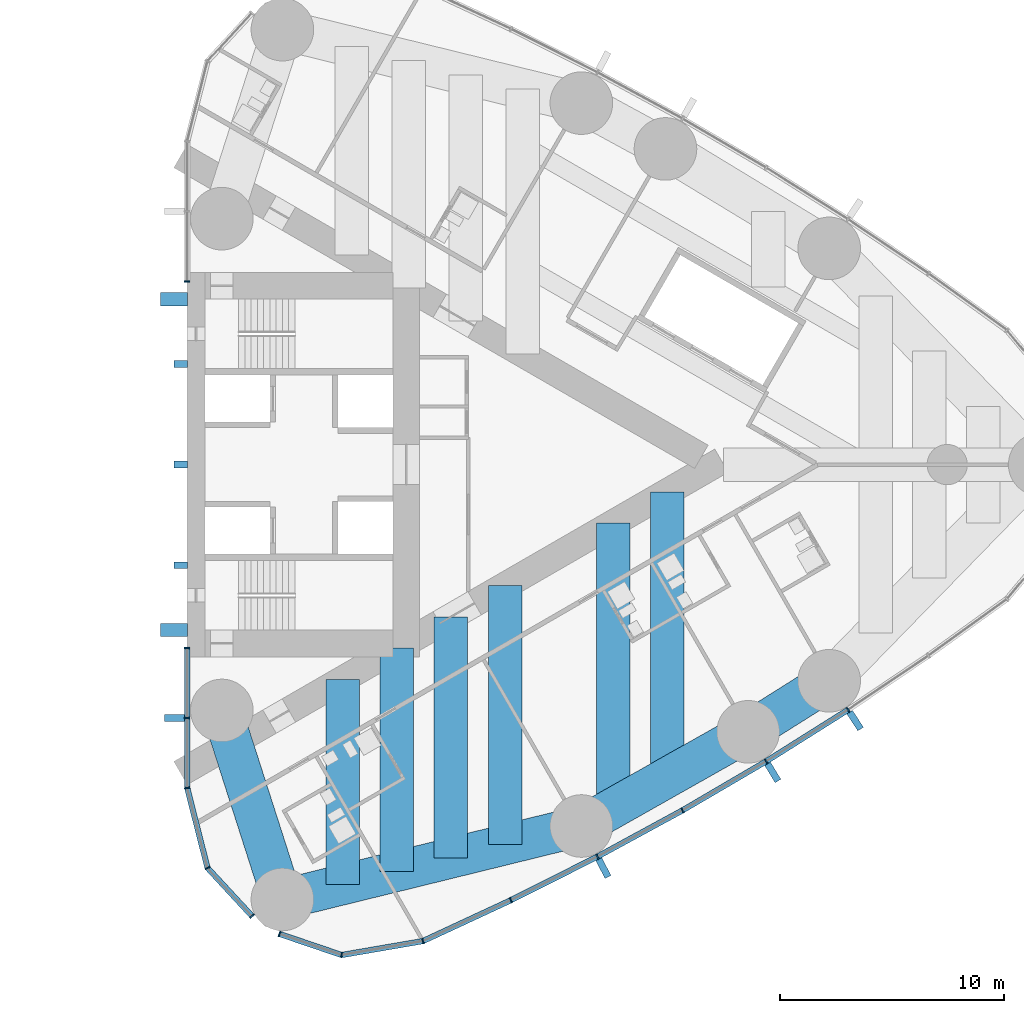
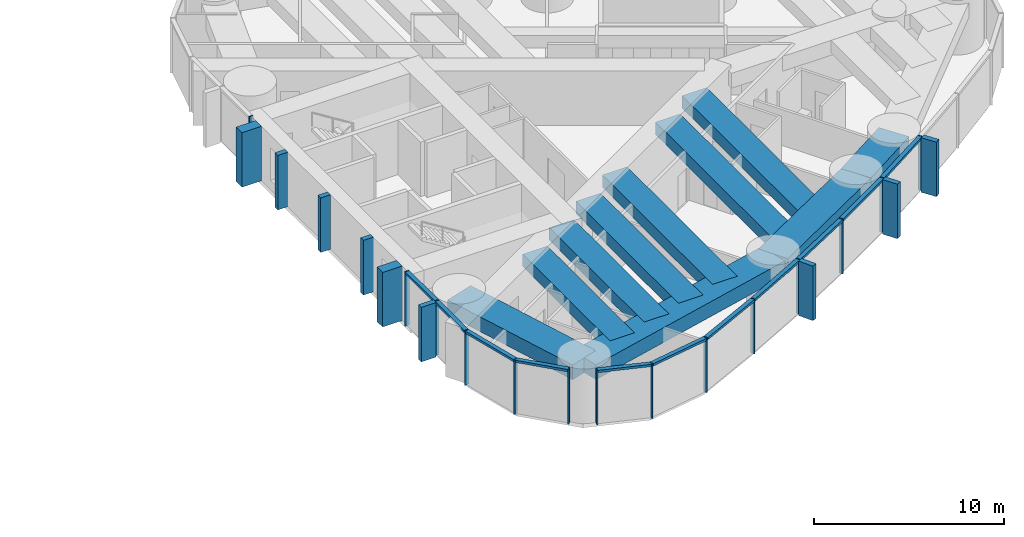
# One storey, part 6 of 19: 34 members, 10 beams, 3 elements without a shape of their own.
"""IFC4 building model written with IfcOpenShell, lengths in metres."""

import ifcopenshell
import ifcopenshell.guid

model = None  # the IFC model being written
_history = None  # IfcOwnerHistory: only IFC2X3 demands one
_inside = {}  # id of a spatial element -> (the spatial element, [elements in it])
_under = {}  # id of a project, library or spatial element -> (it, [spatial elements below it])
_declared = {}  # id of a project -> (the project, [libraries it declares])
_typed = {}  # id of a type object -> (the type object, [elements of that type])
_made_of = {}  # id of a material, layer set ... -> (it, [elements and type objects made of it])


def new_model(schema):
    """Start an empty IFC model of exactly this schema.

    Asked for "IFC4X3", IfcOpenShell would pick the latest addendum, in which some entities
    have other attributes; the version numbers below select the first issue.
    IFC2X3 requires an IfcOwnerHistory on every rooted entity: one is made here for all.
    """
    global model, _history
    if schema == "IFC4X3":
        model = ifcopenshell.file(schema_version=(4, 3, 0, 0))
    else:
        model = ifcopenshell.file(schema=schema)
    _inside.clear()
    _under.clear()
    _declared.clear()
    _typed.clear()
    _made_of.clear()
    _history = None
    if model.schema == "IFC2X3":
        org = make("IfcOrganization", Name="unknown")
        user = make(
            "IfcPersonAndOrganization",
            ThePerson=make("IfcPerson", FamilyName="unknown"),
            TheOrganization=org,
        )
        app = make(
            "IfcApplication",
            ApplicationDeveloper=org,
            Version="unknown",
            ApplicationFullName="unknown",
            ApplicationIdentifier="unknown",
        )
        _history = make(
            "IfcOwnerHistory",
            OwningUser=user,
            OwningApplication=app,
            ChangeAction="ADDED",
            CreationDate=0,
        )
    return model


def make(cls, **values):
    """One entity of the class cls with the attributes given. An attribute that is None is left unset."""
    return model.create_entity(
        cls, **{name: value for name, value in values.items() if value is not None}
    )


def rooted(cls, **values):
    """An entity with a GlobalId (a new one), such as an element, a storey or a relation."""
    return make(cls, GlobalId=ifcopenshell.guid.new(), OwnerHistory=_history, **values)


def si_unit(unit_type, name, prefix=None):
    """IfcSIUnit, for example si_unit("LENGTHUNIT", "METRE", prefix="MILLI")."""
    return make("IfcSIUnit", UnitType=unit_type, Prefix=prefix, Name=name)


def assignment(units):
    """IfcUnitAssignment: the units of a project."""
    return None if units is None else make("IfcUnitAssignment", Units=units)


def point(xyz):
    """IfcCartesianPoint."""
    return None if xyz is None else make("IfcCartesianPoint", Coordinates=xyz)


def direction(xyz):
    """IfcDirection."""
    return None if xyz is None else make("IfcDirection", DirectionRatios=xyz)


def frame(location, z_axis=None, x_axis=None):
    """IfcAxis2Placement3D, a coordinate frame: its origin and axes. An axis left out is left unset."""
    return make(
        "IfcAxis2Placement3D",
        Location=point(location),
        Axis=direction(z_axis),
        RefDirection=direction(x_axis),
    )


def frame_2d(location, x_axis=None):
    """IfcAxis2Placement2D, a coordinate frame in the plane: its origin and x axis."""
    return make(
        "IfcAxis2Placement2D", Location=point(location), RefDirection=direction(x_axis)
    )


def origin():
    """The frame at (0, 0, 0) with its axes left unset."""
    return frame((0.0, 0.0, 0.0))


def origin_2d():
    """The frame at (0, 0) in the plane with its x axis left unset."""
    return frame_2d((0.0, 0.0))


def place(relative_to, where):
    """IfcLocalPlacement: puts the frame where relative to a parent placement (None: the world)."""
    return make(
        "IfcLocalPlacement", PlacementRelTo=relative_to, RelativePlacement=where
    )


def context(
    kind, dimensions, precision=None, world=None, true_north=None, identifier=None
):
    """IfcGeometricRepresentationContext, for example the 3D "Model" context."""
    return make(
        "IfcGeometricRepresentationContext",
        ContextIdentifier=identifier,
        ContextType=kind,
        CoordinateSpaceDimension=dimensions,
        Precision=precision,
        WorldCoordinateSystem=world,
        TrueNorth=true_north,
    )


def subcontext(parent, identifier, kind, view, scale=None):
    """IfcGeometricRepresentationSubContext, for example "Body" below "Model"."""
    return make(
        "IfcGeometricRepresentationSubContext",
        ContextIdentifier=identifier,
        ContextType=kind,
        ParentContext=parent,
        TargetScale=scale,
        TargetView=view,
    )


def project(units=None, contexts=None):
    """IfcProject with its units and contexts."""
    return rooted(
        "IfcProject",
        Name="project",
        RepresentationContexts=contexts,
        UnitsInContext=assignment(units),
    )


def spatial(cls, under=None, at=None, **own):
    """A site, building, storey or space (cls), placed at a placement, below another one or the project."""
    s = rooted(cls, ObjectPlacement=at, **own)
    if under is not None:
        _under.setdefault(under.id(), (under, []))[1].append(s)
    return s


def profile(cls, at=None, kind="AREA", **sizes):
    """A parametric profile (cls). Its sizes go by their IFC names, for example OverallWidth=200.0."""
    return make(cls, ProfileType=kind, Position=at, **sizes)


def rectangle(**sizes):
    """IfcRectangleProfileDef."""
    return profile("IfcRectangleProfileDef", **sizes)


def extrude(swept, where, along, depth):
    """IfcExtrudedAreaSolid: the profile swept, set in the frame where, extruded along a direction by depth."""
    return make(
        "IfcExtrudedAreaSolid",
        SweptArea=swept,
        Position=where,
        ExtrudedDirection=direction(along),
        Depth=depth,
    )


def shape(context_of_items, identifier, shape_type, items):
    """IfcShapeRepresentation: the items that make up one representation, for example the "Body"."""
    return make(
        "IfcShapeRepresentation",
        ContextOfItems=context_of_items,
        RepresentationIdentifier=identifier,
        RepresentationType=shape_type,
        Items=items,
    )


def material(Name=None, Category=None):
    """IfcMaterial."""
    return make("IfcMaterial", Name=Name, Category=Category)


def material_profile(
    of_material, cross_section, Name=None, Category=None, Priority=None
):
    """IfcMaterialProfile: a cross section and its material."""
    return make(
        "IfcMaterialProfile",
        Name=Name,
        Material=of_material,
        Profile=cross_section,
        Priority=Priority,
        Category=Category,
    )


def profile_set(profiles, Name=None, composite=None):
    """IfcMaterialProfileSet."""
    return make(
        "IfcMaterialProfileSet",
        Name=Name,
        MaterialProfiles=profiles,
        CompositeProfile=composite,
    )


def made_of(thing, what):
    """Note that an element or type object is made of a material, layer set ...; save() writes the relation."""
    if what is not None:
        _made_of.setdefault(what.id(), (what, []))[1].append(thing)
    return thing


def type_object(cls, material=None, **own):
    """A type object (cls), such as IfcWallType, which elements share."""
    return made_of(rooted(cls, **own), material)


def element(
    cls,
    number,
    at=None,
    inside=None,
    cuts=None,
    type_object=None,
    material=None,
    context=None,
    identifier="Body",
    shape_type=None,
    held_by="IfcProductDefinitionShape",
    body=None,
    shapes=None,
    **own,
):
    """One element of the class cls, such as IfcWall. Its Tag is "e" and its number.

    at: its placement. inside: the storey or other place that contains it. cuts: it is an
    opening in that element (IfcRelVoidsElement). A single representation is given by context,
    identifier, shape_type and body (its items); several are given by shapes. held_by: the class
    of the entity that holds the representations. save() writes the other relations.
    """
    e = rooted(cls, Tag="e%d" % number, ObjectPlacement=at, **own)
    if body is not None:
        shapes = [shape(context, identifier, shape_type, body)]
    if shapes is not None:
        e.Representation = make(held_by, Representations=shapes)
    if inside is not None:
        _inside.setdefault(inside.id(), (inside, []))[1].append(e)
    if cuts is not None:
        rooted(
            "IfcRelVoidsElement", RelatingBuildingElement=cuts, RelatedOpeningElement=e
        )
    if type_object is not None:
        _typed.setdefault(type_object.id(), (type_object, []))[1].append(e)
    return made_of(e, material)


def aggregate(whole, parts):
    """IfcRelAggregates: a whole, such as a stair, and the parts it consists of."""
    return rooted("IfcRelAggregates", RelatingObject=whole, RelatedObjects=parts)


def save(model, path):
    """Write the relations noted so far, then the file.

    IfcRelAggregates (storeys below a building ...), IfcRelContainedInSpatialStructure (elements
    in a storey), IfcRelDefinesByType, IfcRelAssociatesMaterial and IfcRelDeclares: one each for
    every whole, place, type object, material and project.
    """
    for whole, parts in _under.values():
        aggregate(whole, parts)
    for where, things in _inside.values():
        rooted(
            "IfcRelContainedInSpatialStructure",
            RelatedElements=things,
            RelatingStructure=where,
        )
    for kind, things in _typed.values():
        rooted("IfcRelDefinesByType", RelatedObjects=things, RelatingType=kind)
    for what, things in _made_of.values():
        rooted("IfcRelAssociatesMaterial", RelatedObjects=things, RelatingMaterial=what)
    for by, libraries in _declared.values():
        rooted("IfcRelDeclares", RelatingContext=by, RelatedDefinitions=libraries)
    model.write(path)


model = new_model("IFC4")

# Units and contexts
model_context = context("Model", 3, precision=1e-05, world=origin(), true_north=direction((0.0, 1.0)))
body_context = subcontext(model_context, "Body", "Model", "MODEL_VIEW")
ifc_project = project(units=[si_unit("LENGTHUNIT", "METRE"), si_unit("AREAUNIT", "SQUARE_METRE"), si_unit("VOLUMEUNIT", "CUBIC_METRE"), si_unit("PLANEANGLEUNIT", "RADIAN"), si_unit("MASSUNIT", "GRAM", prefix="KILO")], contexts=[model_context])

# Site, building, storey
site_placement = place(None, origin())
site = spatial("IfcSite", under=ifc_project, at=site_placement, CompositionType="ELEMENT")
building_placement = place(site_placement, origin())
building = spatial("IfcBuilding", under=site, at=building_placement, Name="Lancet Gate Hotel", CompositionType="ELEMENT")
storey_placement = place(building_placement, frame((0.0, 0.0, 177.300048828125)))
storey = spatial("IfcBuildingStorey", under=building, at=storey_placement, Name="L47", CompositionType="ELEMENT", Elevation=177.300048828125)

# Curtain wall, members
ifc_material_1 = material(Name="Aluminium curtain wall", Category="aluminium")
curtain_wall_type = type_object("IfcCurtainWallType", Name="Tower unitised curtain wall", PredefinedType="USERDEFINED", material=ifc_material_1)
curtain_wall_1_placement = place(storey_placement, origin())
curtain_wall_1 = element("IfcCurtainWall", 1, at=curtain_wall_1_placement, inside=storey, type_object=curtain_wall_type, Name="T2 L47 curtain wall 1", ObjectType="UNITISED CURTAIN WALL", PredefinedType="USERDEFINED")
ifc_material_2 = material(Name="Aluminium mullion", Category="aluminium")
ifc_material_profile_1 = material_profile(ifc_material_2, rectangle(XDim=0.06494140625, YDim=0.25, at=origin_2d()), Name="MULLION 65x250")
ifc_profile_set_1 = profile_set([ifc_material_profile_1], Name="Aluminium mullion")
member_type_1 = type_object("IfcMemberType", Name="Aluminium mullion 65x250", PredefinedType="MULLION", material=ifc_profile_set_1)
member_1_placement = place(storey_placement, frame((27.5, -8.199951171875, 0.0), z_axis=(0.0, 0.0, 1.0), x_axis=(0.0, -1.0, 0.0)))
member_1 = element("IfcMember", 2, at=member_1_placement, type_object=member_type_1, Name="T2 L47 curtain wall 1 mullion 1", PredefinedType="MULLION", context=body_context, shape_type="SweptSolid", body=[
    extrude(rectangle(XDim=0.06494140625, YDim=0.25, at=origin_2d()), origin(), (0.0, 0.0, 1.0), 3.5),
])
member_2_placement = place(storey_placement, frame((27.5, -11.332763671875, 0.0), z_axis=(0.0, 0.0, 1.0), x_axis=(0.0, -1.0, 0.0)))
member_2 = element("IfcMember", 3, at=member_2_placement, type_object=member_type_1, Name="T2 L47 curtain wall 1 mullion 2", PredefinedType="MULLION", context=body_context, shape_type="SweptSolid", body=[
    extrude(rectangle(XDim=0.06494140625, YDim=0.25, at=origin_2d()), origin(), (0.0, 0.0, 1.0), 3.5),
])
member_3_placement = place(storey_placement, frame((27.5, -14.465576171875, 0.0), z_axis=(0.0, 0.0, 1.0), x_axis=(0.134206524909, -0.990953383703, 0.0)))
member_3 = element("IfcMember", 4, at=member_3_placement, type_object=member_type_1, Name="T2 L47 curtain wall 1 mullion 3", PredefinedType="MULLION", context=body_context, shape_type="SweptSolid", body=[
    extrude(rectangle(XDim=0.06494140625, YDim=0.25, at=origin_2d()), origin(), (0.0, 0.0, 1.0), 3.5),
])
member_4_placement = place(storey_placement, frame((28.408935546875, -18.04443359375, 0.0), z_axis=(0.0, 0.0, 1.0), x_axis=(0.451505925065, -0.892268120932, 0.0)))
member_4 = element("IfcMember", 5, at=member_4_placement, type_object=member_type_1, Name="T2 L47 curtain wall 1 mullion 4", PredefinedType="MULLION", context=body_context, shape_type="SweptSolid", body=[
    extrude(rectangle(XDim=0.06494140625, YDim=0.25, at=origin_2d()), origin(), (0.0, 0.0, 1.0), 3.5),
])
member_5_placement = place(storey_placement, frame((30.40185546875, -20.199951171875, 0.0), z_axis=(0.0, 0.0, 1.0), x_axis=(0.67883123083, -0.734294327943, 0.0)))
member_5 = element("IfcMember", 6, at=member_5_placement, type_object=member_type_1, Name="T2 L47 curtain wall 1 mullion 5", PredefinedType="MULLION", context=body_context, shape_type="SweptSolid", body=[
    extrude(rectangle(XDim=0.06494140625, YDim=0.25, at=origin_2d()), origin(), (0.0, 0.0, 1.0), 3.5),
])

curtain_wall_2_placement = place(storey_placement, origin())
curtain_wall_2 = element("IfcCurtainWall", 7, at=curtain_wall_2_placement, inside=storey, type_object=curtain_wall_type, Name="T2 L47 curtain wall 2", ObjectType="UNITISED CURTAIN WALL", PredefinedType="USERDEFINED")
member_6_placement = place(storey_placement, frame((31.631591796875, -20.998779296875, 0.0), z_axis=(0.0, 0.0, 1.0), x_axis=(0.946952368511, -0.321373943827, 0.0)))
member_6 = element("IfcMember", 8, at=member_6_placement, type_object=member_type_1, Name="T2 L47 curtain wall 2 mullion 1", PredefinedType="MULLION", context=body_context, shape_type="SweptSolid", body=[
    extrude(rectangle(XDim=0.06494140625, YDim=0.25, at=origin_2d()), origin(), (0.0, 0.0, 1.0), 3.5),
])
member_7_placement = place(storey_placement, frame((34.412109375, -21.9423828125, 0.0), z_axis=(0.0, 0.0, 1.0), x_axis=(0.99877556888, -0.049470829879, 0.0)))
member_7 = element("IfcMember", 9, at=member_7_placement, type_object=member_type_1, Name="T2 L47 curtain wall 2 mullion 2", PredefinedType="MULLION", context=body_context, shape_type="SweptSolid", body=[
    extrude(rectangle(XDim=0.06494140625, YDim=0.25, at=origin_2d()), origin(), (0.0, 0.0, 1.0), 3.5),
])
member_8_placement = place(storey_placement, frame((38.05126953125, -21.31689453125, 0.0), z_axis=(0.0, 0.0, 1.0), x_axis=(0.951355493327, 0.308095318555, 0.0)))
member_8 = element("IfcMember", 10, at=member_8_placement, type_object=member_type_1, Name="T2 L47 curtain wall 2 mullion 3", PredefinedType="MULLION", context=body_context, shape_type="SweptSolid", body=[
    extrude(rectangle(XDim=0.06494140625, YDim=0.25, at=origin_2d()), origin(), (0.0, 0.0, 1.0), 3.5),
])
member_9_placement = place(storey_placement, frame((41.98193359375, -19.490966796875, 0.0), z_axis=(0.0, 0.0, 1.0), x_axis=(0.900141333422, 0.435597956681, 0.0)))
member_9 = element("IfcMember", 11, at=member_9_placement, type_object=member_type_1, Name="T2 L47 curtain wall 2 mullion 4", PredefinedType="MULLION", context=body_context, shape_type="SweptSolid", body=[
    extrude(rectangle(XDim=0.06494140625, YDim=0.25, at=origin_2d()), origin(), (0.0, 0.0, 1.0), 3.5),
])
member_10_placement = place(storey_placement, frame((45.8525390625, -17.54150390625, 0.0), z_axis=(0.0, 0.0, 1.0), x_axis=(0.885877049989, 0.463920092584, 0.0)))
member_10 = element("IfcMember", 12, at=member_10_placement, type_object=member_type_1, Name="T2 L47 curtain wall 2 mullion 5", PredefinedType="MULLION", context=body_context, shape_type="SweptSolid", body=[
    extrude(rectangle(XDim=0.06494140625, YDim=0.25, at=origin_2d()), origin(), (0.0, 0.0, 1.0), 3.5),
])
member_11_placement = place(storey_placement, frame((49.65966796875, -15.47021484375, 0.0), z_axis=(0.0, 0.0, 1.0), x_axis=(0.870721916932, 0.491775704336, 0.0)))
member_11 = element("IfcMember", 13, at=member_11_placement, type_object=member_type_1, Name="T2 L47 curtain wall 2 mullion 6", PredefinedType="MULLION", context=body_context, shape_type="SweptSolid", body=[
    extrude(rectangle(XDim=0.06494140625, YDim=0.25, at=origin_2d()), origin(), (0.0, 0.0, 1.0), 3.5),
])
member_12_placement = place(storey_placement, frame((53.39892578125, -13.279541015625, 0.0), z_axis=(0.0, 0.0, 1.0), x_axis=(0.854691174453, 0.519136779965, 0.0)))
member_12 = element("IfcMember", 14, at=member_12_placement, type_object=member_type_1, Name="T2 L47 curtain wall 2 mullion 7", PredefinedType="MULLION", context=body_context, shape_type="SweptSolid", body=[
    extrude(rectangle(XDim=0.06494140625, YDim=0.25, at=origin_2d()), origin(), (0.0, 0.0, 1.0), 3.5),
])
member_13_placement = place(storey_placement, frame((57.067138671875, -10.970947265625, 0.0), z_axis=(0.0, 0.0, 1.0), x_axis=(0.837800943278, 0.545975804815, 0.0)))
member_13 = element("IfcMember", 15, at=member_13_placement, type_object=member_type_1, Name="T2 L47 curtain wall 2 mullion 8", PredefinedType="MULLION", context=body_context, shape_type="SweptSolid", body=[
    extrude(rectangle(XDim=0.06494140625, YDim=0.25, at=origin_2d()), origin(), (0.0, 0.0, 1.0), 3.5),
])

# Curtain wall, member
curtain_wall_3_placement = place(storey_placement, origin())
curtain_wall_3 = element("IfcCurtainWall", 16, at=curtain_wall_3_placement, inside=storey, type_object=curtain_wall_type, Name="T2 L47 curtain wall 4", ObjectType="UNITISED CURTAIN WALL", PredefinedType="USERDEFINED")
member_14_placement = place(storey_placement, frame((27.5, 8.199951171875, 0.0), z_axis=(0.0, 0.0, 1.0), x_axis=(0.0, -1.0, 0.0)))
member_14 = element("IfcMember", 17, at=member_14_placement, type_object=member_type_1, Name="T2 L47 curtain wall 4 mullion 5", PredefinedType="MULLION", context=body_context, shape_type="SweptSolid", body=[
    extrude(rectangle(XDim=0.06494140625, YDim=0.25, at=origin_2d()), origin(), (0.0, 0.0, 1.0), 3.5),
])
aggregate(curtain_wall_3, [member_14])

# Member
ifc_material_3 = material(Name="Aluminium transom", Category="aluminium")
ifc_material_profile_2 = material_profile(ifc_material_3, rectangle(XDim=0.25, YDim=0.14990234375, at=origin_2d()), Name="TRANSOM 250x150")
ifc_profile_set_2 = profile_set([ifc_material_profile_2], Name="Aluminium transom")
member_type_2 = type_object("IfcMemberType", Name="Aluminium transom 250x150", PredefinedType="USERDEFINED", material=ifc_profile_set_2)
member_15_placement = place(storey_placement, frame((27.5, -8.232421875, 3.425048828125), z_axis=(0.0, -1.0, 0.0), x_axis=(1.0, 0.0, 0.0)))
member_15 = element("IfcMember", 18, at=member_15_placement, type_object=member_type_2, Name="T2 L47 curtain wall 1 transom 1", ObjectType="TRANSOM", PredefinedType="USERDEFINED", context=body_context, shape_type="SweptSolid", body=[
    extrude(rectangle(XDim=0.25, YDim=0.14990234375, at=origin_2d()), origin(), (0.0, 0.0, 1.0), 3.06787109375),
])

member_16_placement = place(storey_placement, frame((27.5, -11.365234375, 3.425048828125), z_axis=(0.0, -1.0, 0.0), x_axis=(1.0, 0.0, 0.0)))
member_16 = element("IfcMember", 19, at=member_16_placement, type_object=member_type_2, Name="T2 L47 curtain wall 1 transom 2", ObjectType="TRANSOM", PredefinedType="USERDEFINED", context=body_context, shape_type="SweptSolid", body=[
    extrude(rectangle(XDim=0.25, YDim=0.14990234375, at=origin_2d()), origin(), (0.0, 0.0, 1.0), 3.06787109375),
])

member_17_placement = place(storey_placement, frame((27.508056640625, -14.4970703125, 3.425048828125), z_axis=(0.246128756616, -0.969237140831, 0.0), x_axis=(0.969237140831, 0.246128756616, 0.0)))
member_17 = element("IfcMember", 20, at=member_17_placement, type_object=member_type_2, Name="T2 L47 curtain wall 1 transom 3", ObjectType="TRANSOM", PredefinedType="USERDEFINED", context=body_context, shape_type="SweptSolid", body=[
    extrude(rectangle(XDim=0.25, YDim=0.14990234375, at=origin_2d()), origin(), (0.0, 0.0, 1.0), 3.62744140625),
])

member_18_placement = place(storey_placement, frame((28.43115234375, -18.068359375, 3.425048828125), z_axis=(0.678792146129, -0.734330458549, 0.0), x_axis=(0.734330458549, 0.678792146129, 0.0)))
member_18 = element("IfcMember", 21, at=member_18_placement, type_object=member_type_2, Name="T2 L47 curtain wall 1 transom 4", ObjectType="TRANSOM", PredefinedType="USERDEFINED", context=body_context, shape_type="SweptSolid", body=[
    extrude(rectangle(XDim=0.25, YDim=0.14990234375, at=origin_2d()), origin(), (0.0, 0.0, 1.0), 2.87060546875),
])

member_19_placement = place(storey_placement, frame((31.662353515625, -21.00927734375, 3.425048828125), z_axis=(0.946943122832, -0.321401185625, 0.0), x_axis=(0.321401185625, 0.946943122832, 0.0)))
member_19 = element("IfcMember", 22, at=member_19_placement, type_object=member_type_2, Name="T2 L47 curtain wall 2 transom 1", ObjectType="TRANSOM", PredefinedType="USERDEFINED", context=body_context, shape_type="SweptSolid", body=[
    extrude(rectangle(XDim=0.25, YDim=0.14990234375, at=origin_2d()), origin(), (0.0, 0.0, 1.0), 2.871337890625),
])

member_20_placement = place(storey_placement, frame((34.444091796875, -21.93701171875, 3.425048828125), z_axis=(0.985536950873, 0.169460669373, 0.0), x_axis=(-0.169460669373, 0.985536950873, 0.0)))
member_20 = element("IfcMember", 23, at=member_20_placement, type_object=member_type_2, Name="T2 L47 curtain wall 2 transom 2", ObjectType="TRANSOM", PredefinedType="USERDEFINED", context=body_context, shape_type="SweptSolid", body=[
    extrude(rectangle(XDim=0.25, YDim=0.14990234375, at=origin_2d()), origin(), (0.0, 0.0, 1.0), 3.627685546875),
])

member_21_placement = place(storey_placement, frame((38.080810546875, -21.30322265625, 3.425048828125), z_axis=(0.906913768492, 0.421316290357, 0.0), x_axis=(-0.421316290357, 0.906913768492, 0.0)))
member_21 = element("IfcMember", 24, at=member_21_placement, type_object=member_type_2, Name="T2 L47 curtain wall 2 transom 3", ObjectType="TRANSOM", PredefinedType="USERDEFINED", context=body_context, shape_type="SweptSolid", body=[
    extrude(rectangle(XDim=0.25, YDim=0.14990234375, at=origin_2d()), origin(), (0.0, 0.0, 1.0), 4.26904296875),
])

member_22_placement = place(storey_placement, frame((42.010986328125, -19.476318359375, 3.425048828125), z_axis=(0.893130969207, 0.449796700571, 0.0), x_axis=(-0.449796700571, 0.893130969207, 0.0)))
member_22 = element("IfcMember", 25, at=member_22_placement, type_object=member_type_2, Name="T2 L47 curtain wall 2 transom 4", ObjectType="TRANSOM", PredefinedType="USERDEFINED", context=body_context, shape_type="SweptSolid", body=[
    extrude(rectangle(XDim=0.25, YDim=0.14990234375, at=origin_2d()), origin(), (0.0, 0.0, 1.0), 4.26904296875),
])

member_23_placement = place(storey_placement, frame((45.881103515625, -17.526123046875, 3.425048828125), z_axis=(0.878404302735, 0.477918278513, 0.0), x_axis=(-0.477918278513, 0.878404302735, 0.0)))
member_23 = element("IfcMember", 26, at=member_23_placement, type_object=member_type_2, Name="T2 L47 curtain wall 2 transom 5", ObjectType="TRANSOM", PredefinedType="USERDEFINED", context=body_context, shape_type="SweptSolid", body=[
    extrude(rectangle(XDim=0.25, YDim=0.14990234375, at=origin_2d()), origin(), (0.0, 0.0, 1.0), 4.26904296875),
])

member_24_placement = place(storey_placement, frame((49.687744140625, -15.453857421875, 3.425048828125), z_axis=(0.862825279032, 0.505502262966, 0.0), x_axis=(-0.505502262966, 0.862825279032, 0.0)))
member_24 = element("IfcMember", 27, at=member_24_placement, type_object=member_type_2, Name="T2 L47 curtain wall 2 transom 6", ObjectType="TRANSOM", PredefinedType="USERDEFINED", context=body_context, shape_type="SweptSolid", body=[
    extrude(rectangle(XDim=0.25, YDim=0.14990234375, at=origin_2d()), origin(), (0.0, 0.0, 1.0), 4.26904296875),
])

member_25_placement = place(storey_placement, frame((53.426513671875, -13.26220703125, 3.425048828125), z_axis=(0.846333101657, 0.532653997488, 0.0), x_axis=(-0.532653997488, 0.846333101657, 0.0)))
member_25 = element("IfcMember", 28, at=member_25_placement, type_object=member_type_2, Name="T2 L47 curtain wall 2 transom 7", ObjectType="TRANSOM", PredefinedType="USERDEFINED", context=body_context, shape_type="SweptSolid", body=[
    extrude(rectangle(XDim=0.25, YDim=0.14990234375, at=origin_2d()), origin(), (0.0, 0.0, 1.0), 4.26904296875),
])

# Beams
ifc_material_4 = material(Name="Concrete C50/60", Category="concrete")
ifc_material_profile_3 = material_profile(ifc_material_4, rectangle(XDim=1.800048828125, YDim=0.949951171875, at=origin_2d()), Name="RC 1800x950")
ifc_profile_set_3 = profile_set([ifc_material_profile_3], Name="Concrete C50/60")
beam_type_1 = type_object("IfcBeamType", Name="Edge beam RC 1800x950", PredefinedType="SPANDREL", material=ifc_profile_set_3)
beam_1_placement = place(storey_placement, frame((31.759765625, -19.455810546875, 2.77490234375), z_axis=(0.971093253227, 0.238700426344, 0.0), x_axis=(-0.238700426344, 0.971093253227, 0.0)))
element("IfcBeam", 29, at=beam_1_placement, inside=storey, type_object=beam_type_1, Name="T2 edge beam EB1 L47", PredefinedType="SPANDREL", context=body_context, shape_type="SweptSolid", body=[
    extrude(rectangle(XDim=1.800048828125, YDim=0.949951171875, at=origin_2d()), origin(), (0.0, 0.0, 1.0), 13.77197265625),
])
beam_2_placement = place(storey_placement, frame((45.133544921875, -16.16845703125, 2.77490234375), z_axis=(0.870721990329, 0.491775574381, 0.0), x_axis=(-0.491775574381, 0.870721990329, 0.0)))
element("IfcBeam", 30, at=beam_2_placement, inside=storey, type_object=beam_type_1, Name="T2 edge beam EB1 L47", PredefinedType="SPANDREL", context=body_context, shape_type="SweptSolid", body=[
    extrude(rectangle(XDim=1.800048828125, YDim=0.949951171875, at=origin_2d()), origin(), (0.0, 0.0, 1.0), 8.568603515625),
])
beam_3_placement = place(storey_placement, frame((52.594482421875, -11.95458984375, 2.77490234375), z_axis=(0.846348902569, 0.532628890617, 0.0), x_axis=(-0.532628890617, 0.846348902569, 0.0)))
element("IfcBeam", 31, at=beam_3_placement, inside=storey, type_object=beam_type_1, Name="T2 edge beam EB1 L47", PredefinedType="SPANDREL", context=body_context, shape_type="SweptSolid", body=[
    extrude(rectangle(XDim=1.800048828125, YDim=0.949951171875, at=origin_2d()), origin(), (0.0, 0.0, 1.0), 4.284912109375),
])
beam_4_placement = place(storey_placement, frame((31.759765625, -19.455810546875, 2.77490234375), z_axis=(-0.305169772986, 0.952297962644, 0.0), x_axis=(-0.952297962644, -0.305169772986, 0.0)))
element("IfcBeam", 32, at=beam_4_placement, inside=storey, type_object=beam_type_1, Name="T2 edge beam EB1 L47", PredefinedType="SPANDREL", context=body_context, shape_type="SweptSolid", body=[
    extrude(rectangle(XDim=1.800048828125, YDim=0.949951171875, at=origin_2d()), origin(), (0.0, 0.0, 1.0), 8.87939453125),
])

# Members
ifc_material_5 = material(Name="Concrete C60/75", Category="concrete")
ifc_material_profile_4 = material_profile(ifc_material_5, rectangle(XDim=0.60009765625, YDim=1.199951171875, at=origin_2d()), Name="FIN 600x1200")
ifc_profile_set_4 = profile_set([ifc_material_profile_4], Name="Concrete C60/75")
member_type_3 = type_object("IfcMemberType", Name="Exposed concrete buttress pilaster 600x1200", PredefinedType="USERDEFINED", material=ifc_profile_set_4)
for number, where, z_axis, x_axis, name in (
    (33, (26.909912109375, -7.39990234375, 0.0), (0.0, 0.0, 1.0), (0.0, 1.0, 0.0), "T2 buttress pilaster S L47"),
    (34, (26.909912109375, 7.39990234375, 0.0), (0.0, 0.0, 1.0), (0.0, 1.0, 0.0), "T2 buttress pilaster N L47"),
):
    element("IfcMember", number, at=place(storey_placement, frame(where, z_axis=z_axis, x_axis=x_axis)), inside=storey, type_object=member_type_3, Name=name, ObjectType="FIN", PredefinedType="USERDEFINED", context=body_context, shape_type="SweptSolid", body=[
        extrude(rectangle(XDim=0.60009765625, YDim=1.199951171875, at=origin_2d()), origin(), (0.0, 0.0, 1.0), 3.5),
    ])

# Member
ifc_material_6 = material(Name="Precast concrete C50/60", Category="concrete")
ifc_material_profile_5 = material_profile(ifc_material_6, rectangle(XDim=0.300048828125, YDim=0.89990234375, at=origin_2d()), Name="FIN 300x900")
ifc_profile_set_5 = profile_set([ifc_material_profile_5], Name="Precast concrete C50/60")
member_type_4 = type_object("IfcMemberType", Name="Exposed concrete fin 300x900", PredefinedType="USERDEFINED", material=ifc_profile_set_5)
member_26_placement = place(storey_placement, frame((26.925048828125, -11.332763671875, 0.0), z_axis=(0.0, 0.0, 1.0), x_axis=(0.0, -1.0, 0.0)))
member_26 = element("IfcMember", 35, at=member_26_placement, type_object=member_type_4, Name="T2 L47 curtain wall 1 fin 2", ObjectType="FIN", PredefinedType="USERDEFINED", context=body_context, shape_type="SweptSolid", body=[
    extrude(rectangle(XDim=0.300048828125, YDim=0.89990234375, at=origin_2d()), origin(), (0.0, 0.0, 1.0), 3.5),
])

aggregate(curtain_wall_1, [member_1, member_2, member_26, member_3, member_4, member_5, member_15, member_16, member_17, member_18])

member_27_placement = place(storey_placement, frame((46.119384765625, -18.051025390625, 0.0), z_axis=(0.0, 0.0, 1.0), x_axis=(0.885877049989, 0.463920092584, 0.0)))
member_27 = element("IfcMember", 36, at=member_27_placement, type_object=member_type_4, Name="T2 L47 curtain wall 2 fin 5", ObjectType="FIN", PredefinedType="USERDEFINED", context=body_context, shape_type="SweptSolid", body=[
    extrude(rectangle(XDim=0.300048828125, YDim=0.89990234375, at=origin_2d()), origin(), (0.0, 0.0, 1.0), 3.5),
])

member_28_placement = place(storey_placement, frame((53.697509765625, -13.770751953125, 0.0), z_axis=(0.0, 0.0, 1.0), x_axis=(0.854691174453, 0.519136779965, 0.0)))
member_28 = element("IfcMember", 37, at=member_28_placement, type_object=member_type_4, Name="T2 L47 curtain wall 2 fin 7", ObjectType="FIN", PredefinedType="USERDEFINED", context=body_context, shape_type="SweptSolid", body=[
    extrude(rectangle(XDim=0.300048828125, YDim=0.89990234375, at=origin_2d()), origin(), (0.0, 0.0, 1.0), 3.5),
])

member_29_placement = place(storey_placement, frame((57.381103515625, -11.452880859375, 0.0), z_axis=(0.0, 0.0, 1.0), x_axis=(0.837800943278, 0.545975804815, 0.0)))
member_29 = element("IfcMember", 38, at=member_29_placement, type_object=member_type_4, Name="T2 L47 curtain wall 2 fin 8", ObjectType="FIN", PredefinedType="USERDEFINED", context=body_context, shape_type="SweptSolid", body=[
    extrude(rectangle(XDim=0.300048828125, YDim=0.89990234375, at=origin_2d()), origin(), (0.0, 0.0, 1.0), 3.5),
])

aggregate(curtain_wall_2, [member_6, member_7, member_8, member_9, member_10, member_27, member_11, member_12, member_28, member_13, member_29, member_19, member_20, member_21, member_22, member_23, member_24, member_25])

# Members
ifc_material_7 = material(Name="Concrete C60/75", Category="concrete")
ifc_material_profile_6 = material_profile(ifc_material_7, rectangle(XDim=0.300048828125, YDim=0.60009765625, at=origin_2d()), Name="FIN 300x600")
ifc_profile_set_6 = profile_set([ifc_material_profile_6], Name="Concrete C60/75")
member_type_5 = type_object("IfcMemberType", Name="Exposed concrete rib 300x600", PredefinedType="USERDEFINED", material=ifc_profile_set_6)
for number, where, z_axis, x_axis, name in (
    (39, (27.2099609375, -4.5, 0.0), (0.0, 0.0, 1.0), (0.0, 1.0, 0.0), "T2 core rib 1 L47"),
    (40, (27.2099609375, 0.0, 0.0), (0.0, 0.0, 1.0), (0.0, 1.0, 0.0), "T2 core rib 2 L47"),
    (41, (27.2099609375, 4.5, 0.0), (0.0, 0.0, 1.0), (0.0, 1.0, 0.0), "T2 core rib 3 L47"),
):
    element("IfcMember", number, at=place(storey_placement, frame(where, z_axis=z_axis, x_axis=x_axis)), inside=storey, type_object=member_type_5, Name=name, ObjectType="FIN", PredefinedType="USERDEFINED", context=body_context, shape_type="SweptSolid", body=[
        extrude(rectangle(XDim=0.300048828125, YDim=0.60009765625, at=origin_2d()), origin(), (0.0, 0.0, 1.0), 3.5),
    ])

# Beams
ifc_material_8 = material(Name="Concrete C50/60", Category="concrete")
ifc_material_profile_7 = material_profile(ifc_material_8, rectangle(XDim=1.5, YDim=0.800048828125, at=origin_2d()), Name="RC 1500x800")
ifc_profile_set_7 = profile_set([ifc_material_profile_7], Name="Concrete C50/60")
beam_type_2 = type_object("IfcBeamType", Name="Floor beam RC 1500x800", PredefinedType="BEAM", material=ifc_profile_set_7)
beam_5_placement = place(storey_placement, frame((34.460693359375, -18.7919921875, 2.849853515625), z_axis=(0.0, 1.0, 0.0), x_axis=(-1.0, 0.0, 0.0)))
element("IfcBeam", 42, at=beam_5_placement, inside=storey, type_object=beam_type_2, Name="T2 floor beam F01S L47", PredefinedType="BEAM", context=body_context, shape_type="SweptSolid", body=[
    extrude(rectangle(XDim=1.5, YDim=0.800048828125, at=origin_2d()), origin(), (0.0, 0.0, 1.0), 9.18408203125),
])
beam_6_placement = place(storey_placement, frame((36.880859375, -18.197021484375, 2.849853515625), z_axis=(0.0, 1.0, 0.0), x_axis=(-1.0, 0.0, 0.0)))
element("IfcBeam", 43, at=beam_6_placement, inside=storey, type_object=beam_type_2, Name="T2 floor beam F03S L47", PredefinedType="BEAM", context=body_context, shape_type="SweptSolid", body=[
    extrude(rectangle(XDim=1.5, YDim=0.800048828125, at=origin_2d()), origin(), (0.0, 0.0, 1.0), 9.986328125),
])
beam_7_placement = place(storey_placement, frame((39.301025390625, -17.60205078125, 2.849853515625), z_axis=(0.0, 1.0, 0.0), x_axis=(-1.0, 0.0, 0.0)))
element("IfcBeam", 44, at=beam_7_placement, inside=storey, type_object=beam_type_2, Name="T2 floor beam F05S L47", PredefinedType="BEAM", context=body_context, shape_type="SweptSolid", body=[
    extrude(rectangle(XDim=1.5, YDim=0.800048828125, at=origin_2d()), origin(), (0.0, 0.0, 1.0), 10.78857421875),
])
beam_8_placement = place(storey_placement, frame((41.721435546875, -17.007080078125, 2.849853515625), z_axis=(0.0, 1.0, 0.0), x_axis=(-1.0, 0.0, 0.0)))
element("IfcBeam", 45, at=beam_8_placement, inside=storey, type_object=beam_type_2, Name="T2 floor beam F07S L47", PredefinedType="BEAM", context=body_context, shape_type="SweptSolid", body=[
    extrude(rectangle(XDim=1.5, YDim=0.800048828125, at=origin_2d()), origin(), (0.0, 0.0, 1.0), 11.591064453125),
])
beam_9_placement = place(storey_placement, frame((46.561767578125, -15.36181640625, 2.849853515625), z_axis=(0.0, 1.0, 0.0), x_axis=(-1.0, 0.0, 0.0)))
element("IfcBeam", 46, at=beam_9_placement, inside=storey, type_object=beam_type_2, Name="T2 floor beam F09S L47", PredefinedType="BEAM", context=body_context, shape_type="SweptSolid", body=[
    extrude(rectangle(XDim=1.5, YDim=0.800048828125, at=origin_2d()), origin(), (0.0, 0.0, 1.0), 12.740478515625),
])
beam_10_placement = place(storey_placement, frame((48.98193359375, -13.994873046875, 2.849853515625), z_axis=(0.0, 1.0, 0.0), x_axis=(-1.0, 0.0, 0.0)))
element("IfcBeam", 47, at=beam_10_placement, inside=storey, type_object=beam_type_2, Name="T2 floor beam F10S L47", PredefinedType="BEAM", context=body_context, shape_type="SweptSolid", body=[
    extrude(rectangle(XDim=1.5, YDim=0.800048828125, at=origin_2d()), origin(), (0.0, 0.0, 1.0), 12.770751953125),
])

save(model, "model.ifc")
